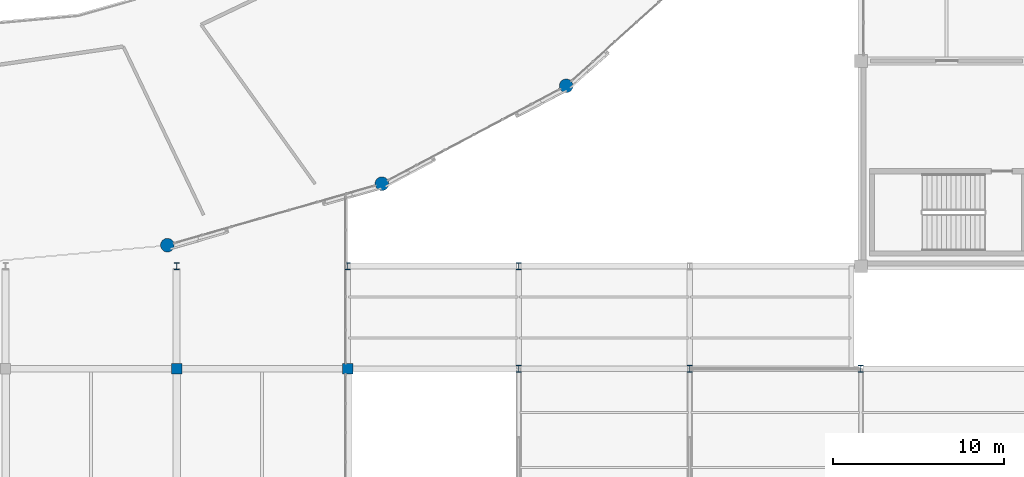
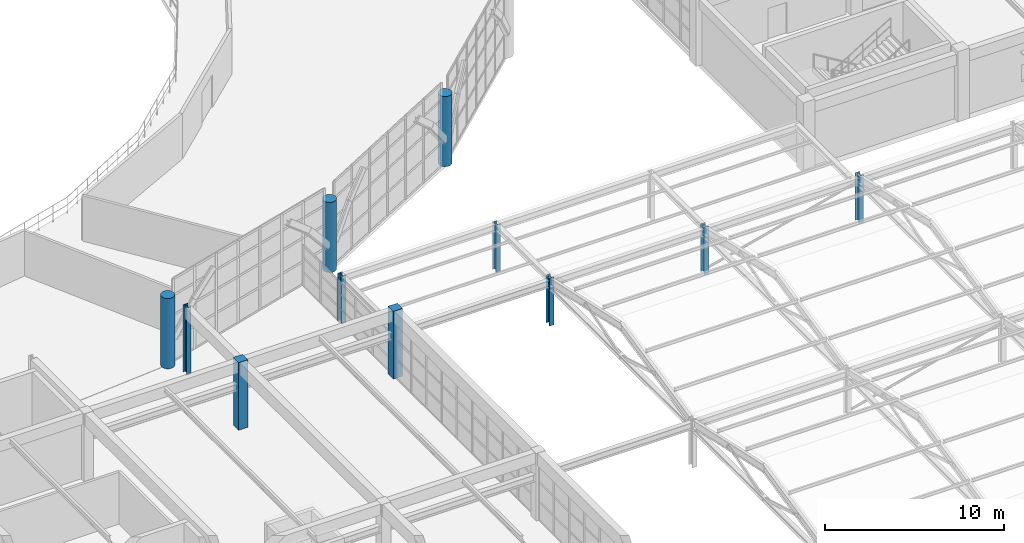
# One storey, part 7 of 109: 11 columns.
"""IFC4 building model written with IfcOpenShell, lengths in metres."""

from ifc_helpers import new_model, si_unit, direction, frame, origin, origin_2d, place, context, subcontext, project, spatial, rectangle, circle, i_section, extrude, material, material_profile, profile_set, type_object, element, save


model = new_model("IFC4")

# Units and contexts
model_context = context("Model", 3, precision=1e-05, world=origin(), true_north=direction((0.0, 1.0)))
body_context = subcontext(model_context, "Body", "Model", "MODEL_VIEW")
ifc_project = project(units=[si_unit("LENGTHUNIT", "METRE"), si_unit("AREAUNIT", "SQUARE_METRE"), si_unit("VOLUMEUNIT", "CUBIC_METRE"), si_unit("PLANEANGLEUNIT", "RADIAN"), si_unit("MASSUNIT", "GRAM", prefix="KILO")], contexts=[model_context])

# Site, building, storey
site_placement = place(None, origin())
site = spatial("IfcSite", under=ifc_project, at=site_placement, CompositionType="ELEMENT")
building_placement = place(site_placement, origin())
building = spatial("IfcBuilding", under=site, at=building_placement, Name="Kivolera Central Railway Station", CompositionType="ELEMENT")
storey_placement = place(building_placement, frame((0.0, 0.0, 9.60009765625)))
storey = spatial("IfcBuildingStorey", under=building, at=storey_placement, Name="L02", CompositionType="ELEMENT", Elevation=9.60009765625)

# Columns
ifc_material_1 = material(Name="Concrete C40/50", Category="concrete")
ifc_material_profile_1 = material_profile(ifc_material_1, rectangle(XDim=0.60009765625, YDim=0.60009765625, at=origin_2d()), Name="RC 600x600")
ifc_profile_set_1 = profile_set([ifc_material_profile_1], Name="Concrete C40/50")
column_type_1 = type_object("IfcColumnType", Name="COL-RC-600", PredefinedType="COLUMN", material=ifc_profile_set_1)
for number, where, z_axis, x_axis, name in (
    (1, (78.0, 48.0, 0.0), (0.0, 0.0, 1.0), (1.0, 0.0, 0.0), "L02 Train Shed Upper Mast 8-D"),
    (2, (88.0, 48.0, 0.0), (0.0, 0.0, 1.0), (1.0, 0.0, 0.0), "L02 Train Shed Upper Mast 9-D"),
):
    element("IfcColumn", number, at=place(storey_placement, frame(where, z_axis=z_axis, x_axis=x_axis)), inside=storey, type_object=column_type_1, Name=name, PredefinedType="COLUMN", context=body_context, shape_type="SweptSolid", body=[
        extrude(rectangle(XDim=0.60009765625, YDim=0.60009765625, at=origin_2d()), origin(), (0.0, 0.0, 1.0), 4.619873046875),
    ])
ifc_material_profile_2 = material_profile(ifc_material_1, circle(Radius=0.39990234375, at=origin_2d()), Name="RC D800")
ifc_profile_set_2 = profile_set([ifc_material_profile_2], Name="Concrete C40/50")
column_type_2 = type_object("IfcColumnType", Name="COL-RC-D800", PredefinedType="COLUMN", material=ifc_profile_set_2)
for number, where, z_axis, x_axis, name in (
    (3, (77.458984375, 55.22705078125, 0.0), (0.0, 0.0, 1.0), (1.0, 0.0, 0.0), "L02 Oval Drum Perimeter Column P20"),
    (4, (90.0, 58.822998046875, 0.0), (0.0, 0.0, 1.0), (1.0, 0.0, 0.0), "L02 Oval Drum Perimeter Column P21"),
    (5, (100.77001953125, 64.5439453125, 0.0), (0.0, 0.0, 1.0), (1.0, 0.0, 0.0), "L02 Oval Drum Perimeter Column P22"),
):
    element("IfcColumn", number, at=place(storey_placement, frame(where, z_axis=z_axis, x_axis=x_axis)), inside=storey, type_object=column_type_2, Name=name, PredefinedType="COLUMN", context=body_context, shape_type="SweptSolid", body=[
        extrude(circle(Radius=0.39990234375, at=origin_2d()), origin(), (0.0, 0.0, 1.0), 4.7998046875),
    ])
ifc_material_2 = material(Name="Steel S355", Category="steel")
ifc_material_profile_3 = material_profile(ifc_material_2, i_section(OverallWidth=0.300048828125, OverallDepth=0.39990234375, WebThickness=0.013427734375, FlangeThickness=0.02392578125, FilletRadius=0.027099609375, at=origin_2d()), Name="HEB 400")
ifc_profile_set_3 = profile_set([ifc_material_profile_3], Name="Steel S355")
column_type_3 = type_object("IfcColumnType", Name="COL-STL-HEB400", PredefinedType="COLUMN", material=ifc_profile_set_3)
column_placement = place(storey_placement, frame((78.0, 54.0, 0.0), z_axis=(0.0, 0.0, 1.0), x_axis=(1.0, 0.0, 0.0)))
element("IfcColumn", 6, at=column_placement, inside=storey, type_object=column_type_3, Name="L02 Train Shed Threshold Column 8-E", PredefinedType="COLUMN", context=body_context, shape_type="SweptSolid", body=[
    extrude(i_section(OverallWidth=0.300048828125, OverallDepth=0.39990234375, WebThickness=0.013427734375, FlangeThickness=0.02392578125, FilletRadius=0.027099609375, at=origin_2d()), origin(), (0.0, 0.0, 1.0), 4.599853515625),
])
for number, where, z_axis, x_axis, name in (
    (7, (88.0, 54.0, 0.0), (0.0, 0.0, 1.0), (1.0, 0.0, 0.0), "L02 Train Shed Threshold Column 9-E"),
    (8, (98.0, 48.0, 0.0), (0.0, 0.0, 1.0), (1.0, 0.0, 0.0), "L02 Train Shed Upper Mast 10-D"),
    (9, (98.0, 54.0, 0.0), (0.0, 0.0, 1.0), (1.0, 0.0, 0.0), "L02 Train Shed Threshold Column 10-E"),
    (10, (108.0, 48.0, 0.0), (0.0, 0.0, 1.0), (1.0, 0.0, 0.0), "L02 Train Shed Upper Mast 11-D"),
    (11, (118.0, 48.0, 0.0), (0.0, 0.0, 1.0), (1.0, 0.0, 0.0), "L02 Train Shed Upper Mast 12-D"),
):
    element("IfcColumn", number, at=place(storey_placement, frame(where, z_axis=z_axis, x_axis=x_axis)), inside=storey, type_object=column_type_3, Name=name, PredefinedType="COLUMN", context=body_context, shape_type="SweptSolid", body=[
        extrude(i_section(OverallWidth=0.300048828125, OverallDepth=0.39990234375, WebThickness=0.013427734375, FlangeThickness=0.02392578125, FilletRadius=0.027099609375, at=origin_2d()), origin(), (0.0, 0.0, 1.0), 3.25),
    ])

save(model, "model.ifc")
